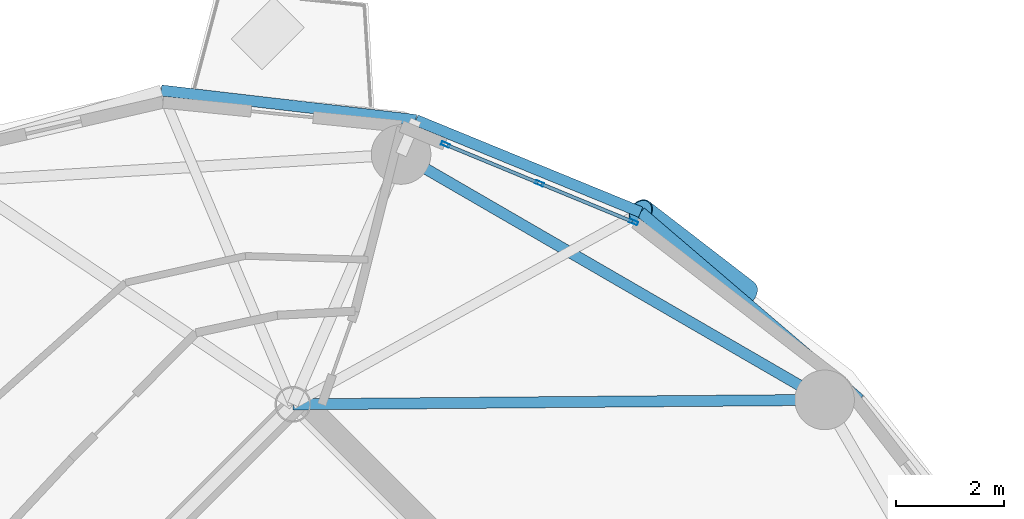
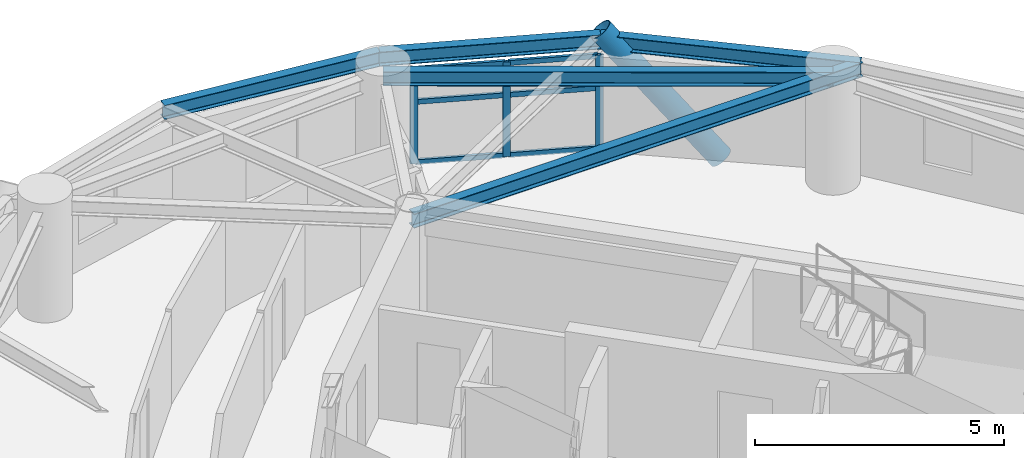
# One storey, part 5 of 16: 10 members, 5 beams, 1 element without a shape of its own.
"""IFC4 building model written with IfcOpenShell, lengths in metres."""

import ifcopenshell
import ifcopenshell.guid

model = None  # the IFC model being written
_history = None  # IfcOwnerHistory: only IFC2X3 demands one
_inside = {}  # id of a spatial element -> (the spatial element, [elements in it])
_under = {}  # id of a project, library or spatial element -> (it, [spatial elements below it])
_declared = {}  # id of a project -> (the project, [libraries it declares])
_typed = {}  # id of a type object -> (the type object, [elements of that type])
_made_of = {}  # id of a material, layer set ... -> (it, [elements and type objects made of it])


def new_model(schema):
    """Start an empty IFC model of exactly this schema.

    Asked for "IFC4X3", IfcOpenShell would pick the latest addendum, in which some entities
    have other attributes; the version numbers below select the first issue.
    IFC2X3 requires an IfcOwnerHistory on every rooted entity: one is made here for all.
    """
    global model, _history
    if schema == "IFC4X3":
        model = ifcopenshell.file(schema_version=(4, 3, 0, 0))
    else:
        model = ifcopenshell.file(schema=schema)
    _inside.clear()
    _under.clear()
    _declared.clear()
    _typed.clear()
    _made_of.clear()
    _history = None
    if model.schema == "IFC2X3":
        org = make("IfcOrganization", Name="unknown")
        user = make(
            "IfcPersonAndOrganization",
            ThePerson=make("IfcPerson", FamilyName="unknown"),
            TheOrganization=org,
        )
        app = make(
            "IfcApplication",
            ApplicationDeveloper=org,
            Version="unknown",
            ApplicationFullName="unknown",
            ApplicationIdentifier="unknown",
        )
        _history = make(
            "IfcOwnerHistory",
            OwningUser=user,
            OwningApplication=app,
            ChangeAction="ADDED",
            CreationDate=0,
        )
    return model


def make(cls, **values):
    """One entity of the class cls with the attributes given. An attribute that is None is left unset."""
    return model.create_entity(
        cls, **{name: value for name, value in values.items() if value is not None}
    )


def rooted(cls, **values):
    """An entity with a GlobalId (a new one), such as an element, a storey or a relation."""
    return make(cls, GlobalId=ifcopenshell.guid.new(), OwnerHistory=_history, **values)


def si_unit(unit_type, name, prefix=None):
    """IfcSIUnit, for example si_unit("LENGTHUNIT", "METRE", prefix="MILLI")."""
    return make("IfcSIUnit", UnitType=unit_type, Prefix=prefix, Name=name)


def assignment(units):
    """IfcUnitAssignment: the units of a project."""
    return None if units is None else make("IfcUnitAssignment", Units=units)


def point(xyz):
    """IfcCartesianPoint."""
    return None if xyz is None else make("IfcCartesianPoint", Coordinates=xyz)


def direction(xyz):
    """IfcDirection."""
    return None if xyz is None else make("IfcDirection", DirectionRatios=xyz)


def frame(location, z_axis=None, x_axis=None):
    """IfcAxis2Placement3D, a coordinate frame: its origin and axes. An axis left out is left unset."""
    return make(
        "IfcAxis2Placement3D",
        Location=point(location),
        Axis=direction(z_axis),
        RefDirection=direction(x_axis),
    )


def frame_2d(location, x_axis=None):
    """IfcAxis2Placement2D, a coordinate frame in the plane: its origin and x axis."""
    return make(
        "IfcAxis2Placement2D", Location=point(location), RefDirection=direction(x_axis)
    )


def origin():
    """The frame at (0, 0, 0) with its axes left unset."""
    return frame((0.0, 0.0, 0.0))


def origin_2d():
    """The frame at (0, 0) in the plane with its x axis left unset."""
    return frame_2d((0.0, 0.0))


def place(relative_to, where):
    """IfcLocalPlacement: puts the frame where relative to a parent placement (None: the world)."""
    return make(
        "IfcLocalPlacement", PlacementRelTo=relative_to, RelativePlacement=where
    )


def context(
    kind, dimensions, precision=None, world=None, true_north=None, identifier=None
):
    """IfcGeometricRepresentationContext, for example the 3D "Model" context."""
    return make(
        "IfcGeometricRepresentationContext",
        ContextIdentifier=identifier,
        ContextType=kind,
        CoordinateSpaceDimension=dimensions,
        Precision=precision,
        WorldCoordinateSystem=world,
        TrueNorth=true_north,
    )


def subcontext(parent, identifier, kind, view, scale=None):
    """IfcGeometricRepresentationSubContext, for example "Body" below "Model"."""
    return make(
        "IfcGeometricRepresentationSubContext",
        ContextIdentifier=identifier,
        ContextType=kind,
        ParentContext=parent,
        TargetScale=scale,
        TargetView=view,
    )


def project(units=None, contexts=None):
    """IfcProject with its units and contexts."""
    return rooted(
        "IfcProject",
        Name="project",
        RepresentationContexts=contexts,
        UnitsInContext=assignment(units),
    )


def spatial(cls, under=None, at=None, **own):
    """A site, building, storey or space (cls), placed at a placement, below another one or the project."""
    s = rooted(cls, ObjectPlacement=at, **own)
    if under is not None:
        _under.setdefault(under.id(), (under, []))[1].append(s)
    return s


def profile(cls, at=None, kind="AREA", **sizes):
    """A parametric profile (cls). Its sizes go by their IFC names, for example OverallWidth=200.0."""
    return make(cls, ProfileType=kind, Position=at, **sizes)


def hollow_rectangle(**sizes):
    """IfcRectangleHollowProfileDef."""
    return profile("IfcRectangleHollowProfileDef", **sizes)


def hollow_circle(**sizes):
    """IfcCircleHollowProfileDef."""
    return profile("IfcCircleHollowProfileDef", **sizes)


def i_section(**sizes):
    """IfcIShapeProfileDef."""
    return profile("IfcIShapeProfileDef", **sizes)


def extrude(swept, where, along, depth):
    """IfcExtrudedAreaSolid: the profile swept, set in the frame where, extruded along a direction by depth."""
    return make(
        "IfcExtrudedAreaSolid",
        SweptArea=swept,
        Position=where,
        ExtrudedDirection=direction(along),
        Depth=depth,
    )


def shape(context_of_items, identifier, shape_type, items):
    """IfcShapeRepresentation: the items that make up one representation, for example the "Body"."""
    return make(
        "IfcShapeRepresentation",
        ContextOfItems=context_of_items,
        RepresentationIdentifier=identifier,
        RepresentationType=shape_type,
        Items=items,
    )


def material(Name=None, Category=None):
    """IfcMaterial."""
    return make("IfcMaterial", Name=Name, Category=Category)


def layer(
    of_material, thickness, ventilated=None, Name=None, Category=None, Priority=None
):
    """IfcMaterialLayer: one layer of a wall or slab, of a material (None: an air gap)."""
    return make(
        "IfcMaterialLayer",
        Material=of_material,
        LayerThickness=thickness,
        IsVentilated=ventilated,
        Name=Name,
        Category=Category,
        Priority=Priority,
    )


def layer_set(layers, Name=None):
    """IfcMaterialLayerSet."""
    return make("IfcMaterialLayerSet", MaterialLayers=layers, LayerSetName=Name)


def material_profile(
    of_material, cross_section, Name=None, Category=None, Priority=None
):
    """IfcMaterialProfile: a cross section and its material."""
    return make(
        "IfcMaterialProfile",
        Name=Name,
        Material=of_material,
        Profile=cross_section,
        Priority=Priority,
        Category=Category,
    )


def profile_set(profiles, Name=None, composite=None):
    """IfcMaterialProfileSet."""
    return make(
        "IfcMaterialProfileSet",
        Name=Name,
        MaterialProfiles=profiles,
        CompositeProfile=composite,
    )


def made_of(thing, what):
    """Note that an element or type object is made of a material, layer set ...; save() writes the relation."""
    if what is not None:
        _made_of.setdefault(what.id(), (what, []))[1].append(thing)
    return thing


def type_object(cls, material=None, **own):
    """A type object (cls), such as IfcWallType, which elements share."""
    return made_of(rooted(cls, **own), material)


def element(
    cls,
    number,
    at=None,
    inside=None,
    cuts=None,
    type_object=None,
    material=None,
    context=None,
    identifier="Body",
    shape_type=None,
    held_by="IfcProductDefinitionShape",
    body=None,
    shapes=None,
    **own,
):
    """One element of the class cls, such as IfcWall. Its Tag is "e" and its number.

    at: its placement. inside: the storey or other place that contains it. cuts: it is an
    opening in that element (IfcRelVoidsElement). A single representation is given by context,
    identifier, shape_type and body (its items); several are given by shapes. held_by: the class
    of the entity that holds the representations. save() writes the other relations.
    """
    e = rooted(cls, Tag="e%d" % number, ObjectPlacement=at, **own)
    if body is not None:
        shapes = [shape(context, identifier, shape_type, body)]
    if shapes is not None:
        e.Representation = make(held_by, Representations=shapes)
    if inside is not None:
        _inside.setdefault(inside.id(), (inside, []))[1].append(e)
    if cuts is not None:
        rooted(
            "IfcRelVoidsElement", RelatingBuildingElement=cuts, RelatedOpeningElement=e
        )
    if type_object is not None:
        _typed.setdefault(type_object.id(), (type_object, []))[1].append(e)
    return made_of(e, material)


def aggregate(whole, parts):
    """IfcRelAggregates: a whole, such as a stair, and the parts it consists of."""
    return rooted("IfcRelAggregates", RelatingObject=whole, RelatedObjects=parts)


def save(model, path):
    """Write the relations noted so far, then the file.

    IfcRelAggregates (storeys below a building ...), IfcRelContainedInSpatialStructure (elements
    in a storey), IfcRelDefinesByType, IfcRelAssociatesMaterial and IfcRelDeclares: one each for
    every whole, place, type object, material and project.
    """
    for whole, parts in _under.values():
        aggregate(whole, parts)
    for where, things in _inside.values():
        rooted(
            "IfcRelContainedInSpatialStructure",
            RelatedElements=things,
            RelatingStructure=where,
        )
    for kind, things in _typed.values():
        rooted("IfcRelDefinesByType", RelatedObjects=things, RelatingType=kind)
    for what, things in _made_of.values():
        rooted("IfcRelAssociatesMaterial", RelatedObjects=things, RelatingMaterial=what)
    for by, libraries in _declared.values():
        rooted("IfcRelDeclares", RelatingContext=by, RelatedDefinitions=libraries)
    model.write(path)


model = new_model("IFC4")

# Units and contexts
model_context = context("Model", 3, precision=1e-05, world=origin(), true_north=direction((0.0, 1.0)))
body_context = subcontext(model_context, "Body", "Model", "MODEL_VIEW")
ifc_project = project(units=[si_unit("LENGTHUNIT", "METRE"), si_unit("AREAUNIT", "SQUARE_METRE"), si_unit("VOLUMEUNIT", "CUBIC_METRE"), si_unit("PLANEANGLEUNIT", "RADIAN"), si_unit("MASSUNIT", "GRAM", prefix="KILO")], contexts=[model_context])

# Site, building, storey
site_placement = place(None, origin())
site = spatial("IfcSite", under=ifc_project, at=site_placement, CompositionType="ELEMENT")
building_placement = place(site_placement, origin())
building = spatial("IfcBuilding", under=site, at=building_placement, Name="Cununo Teusaquillo Station Towers", CompositionType="ELEMENT")
storey_placement = place(building_placement, frame((0.0, 0.0, 217.030029296875)))
storey = spatial("IfcBuildingStorey", under=building, at=storey_placement, Name="L69", CompositionType="ELEMENT", Elevation=217.030029296875)

# Beams
ifc_material_1 = material(Name="Steel ASTM A572 Grade 50", Category="steel")
ifc_material_profile_1 = material_profile(ifc_material_1, i_section(OverallWidth=0.2041015625, OverallDepth=0.35009765625, WebThickness=0.008544921875, FlangeThickness=0.01513671875, FilletRadius=0.011962890625, at=origin_2d()), Name="W14X48")
ifc_profile_set_1 = profile_set([ifc_material_profile_1], Name="Steel ASTM A572 Grade 50")
beam_type_1 = type_object("IfcBeamType", Name="BM-RAD-G3", PredefinedType="BEAM", material=ifc_profile_set_1)
beam_1_placement = place(storey_placement, frame((56.29443359375, 33.024169921875, 2.52490234375), z_axis=(0.999964325253, 0.008446787673, 0.0), x_axis=(-0.008446787673, 0.999964325253, 0.0)))
element("IfcBeam", 1, at=beam_1_placement, inside=storey, type_object=beam_type_1, Name="L69 Tower B Continuous Overhanging Radial Girder 01", PredefinedType="BEAM", context=body_context, shape_type="SweptSolid", body=[
    extrude(i_section(OverallWidth=0.2041015625, OverallDepth=0.35009765625, WebThickness=0.008544921875, FlangeThickness=0.01513671875, FilletRadius=0.011962890625, at=origin_2d()), origin(), (0.0, 0.0, 1.0), 10.463134765625),
])
ifc_material_2 = material(Name="Steel ASTM A572 Grade 50", Category="steel")
ifc_material_profile_2 = material_profile(ifc_material_2, i_section(OverallWidth=0.2041015625, OverallDepth=0.35009765625, WebThickness=0.008544921875, FlangeThickness=0.01513671875, FilletRadius=0.011962890625, at=origin_2d()), Name="W14X48")
ifc_profile_set_2 = profile_set([ifc_material_profile_2], Name="Steel ASTM A572 Grade 50")
beam_type_2 = type_object("IfcBeamType", Name="BM-RING-Z4", PredefinedType="SPANDREL", material=ifc_profile_set_2)
beam_2_placement = place(storey_placement, frame((66.10693359375, 33.10693359375, 2.52490234375), z_axis=(-0.865267103202, 0.501311121078, 0.0), x_axis=(-0.501311121078, -0.865267103202, 0.0)))
element("IfcBeam", 2, at=beam_2_placement, inside=storey, type_object=beam_type_2, Name="L69 Tower B Structural Column Ring Girder 01", PredefinedType="SPANDREL", context=body_context, shape_type="SweptSolid", body=[
    extrude(i_section(OverallWidth=0.2041015625, OverallDepth=0.35009765625, WebThickness=0.008544921875, FlangeThickness=0.01513671875, FilletRadius=0.011962890625, at=origin_2d()), origin(), (0.0, 0.0, 1.0), 9.032958984375),
])
beam_3_placement = place(storey_placement, frame((66.757080078125, 33.112548828125, 2.52490234375), z_axis=(-0.760065778291, 0.649846145385, 0.0), x_axis=(-0.649846145385, -0.760065778291, 0.0)))
element("IfcBeam", 3, at=beam_3_placement, inside=storey, type_object=beam_type_2, Name="L69 Tower B Spandrel Ring Beam 01", PredefinedType="SPANDREL", context=body_context, shape_type="SweptSolid", body=[
    extrude(i_section(OverallWidth=0.2041015625, OverallDepth=0.35009765625, WebThickness=0.008544921875, FlangeThickness=0.01513671875, FilletRadius=0.011962890625, at=origin_2d()), origin(), (0.0, 0.0, 1.0), 5.320556640625),
])
beam_4_placement = place(storey_placement, frame((62.713134765625, 36.570068359375, 2.52490234375), z_axis=(-0.925283830437, 0.379275405388, 0.0), x_axis=(-0.379275405388, -0.925283830437, 0.0)))
element("IfcBeam", 4, at=beam_4_placement, inside=storey, type_object=beam_type_2, Name="L69 Tower B Spandrel Ring Beam 02", PredefinedType="SPANDREL", context=body_context, shape_type="SweptSolid", body=[
    extrude(i_section(OverallWidth=0.2041015625, OverallDepth=0.35009765625, WebThickness=0.008544921875, FlangeThickness=0.01513671875, FilletRadius=0.011962890625, at=origin_2d()), origin(), (0.0, 0.0, 1.0), 4.482177734375),
])
beam_5_placement = place(storey_placement, frame((58.56591796875, 38.27001953125, 2.52490234375), z_axis=(-0.993313022334, 0.115452326356, 0.0), x_axis=(-0.115452326356, -0.993313022334, 0.0)))
element("IfcBeam", 5, at=beam_5_placement, inside=storey, type_object=beam_type_2, Name="L69 Tower B Spandrel Ring Beam 03", PredefinedType="SPANDREL", context=body_context, shape_type="SweptSolid", body=[
    extrude(i_section(OverallWidth=0.2041015625, OverallDepth=0.35009765625, WebThickness=0.008544921875, FlangeThickness=0.01513671875, FilletRadius=0.011962890625, at=origin_2d()), origin(), (0.0, 0.0, 1.0), 4.732666015625),
])

# Curtain wall, members
ifc_material_3 = material(Name="Ceramic-fritted dark low-E double glazing", Category="glass")
ifc_layer = layer(ifc_material_3, 0.179931640625)
ifc_layer_set = layer_set([ifc_layer], Name="Ceramic-fritted dark low-E double glazing")
curtain_wall_type = type_object("IfcCurtainWallType", Name="CW-SYS-07", PredefinedType="USERDEFINED", material=ifc_layer_set)
curtain_wall_placement = place(storey_placement, origin())
curtain_wall = element("IfcCurtainWall", 6, at=curtain_wall_placement, inside=storey, type_object=curtain_wall_type, Name="L69 Tower B Facade Curtain Wall C01", ObjectType="FRITTED GLAZING", PredefinedType="USERDEFINED")
ifc_material_4 = material(Name="Anodised dark bronze aluminium EN AW-6063-T6", Category="aluminium")
ifc_material_profile_3 = material_profile(ifc_material_4, hollow_rectangle(XDim=0.06494140625, YDim=0.159912109375, WallThickness=0.00390625, at=origin_2d()), Name="CW-MULL-65x160")
ifc_profile_set_3 = profile_set([ifc_material_profile_3], Name="Anodised dark bronze aluminium EN AW-6063-T6")
member_type_1 = type_object("IfcMemberType", Name="CWM-160", PredefinedType="MULLION", material=ifc_profile_set_3)
member_1_placement = place(storey_placement, frame((59.111328125, 37.818359375, 0.0), z_axis=(0.0, 0.0, 1.0), x_axis=(0.381310513086, 0.924447019904, 0.0)))
member_1 = element("IfcMember", 7, at=member_1_placement, type_object=member_type_1, Name="CW-07 mullion 1", PredefinedType="MULLION", context=body_context, shape_type="SweptSolid", body=[
    extrude(hollow_rectangle(XDim=0.06494140625, YDim=0.159912109375, WallThickness=0.00390625, at=origin_2d()), origin(), (0.0, 0.0, 1.0), 2.322021484375),
])
member_2_placement = place(storey_placement, frame((60.84716796875, 37.102294921875, 0.0), z_axis=(0.0, 0.0, 1.0), x_axis=(0.381310513086, 0.924447019904, 0.0)))
member_2 = element("IfcMember", 8, at=member_2_placement, type_object=member_type_1, Name="CW-07 mullion 2", PredefinedType="MULLION", context=body_context, shape_type="SweptSolid", body=[
    extrude(hollow_rectangle(XDim=0.06494140625, YDim=0.159912109375, WallThickness=0.00390625, at=origin_2d()), origin(), (0.0, 0.0, 1.0), 2.322021484375),
])
member_3_placement = place(storey_placement, frame((62.583251953125, 36.38623046875, 0.0), z_axis=(0.0, 0.0, 1.0), x_axis=(0.381310513086, 0.924447019904, 0.0)))
member_3 = element("IfcMember", 9, at=member_3_placement, type_object=member_type_1, Name="CW-07 mullion 3", PredefinedType="MULLION", context=body_context, shape_type="SweptSolid", body=[
    extrude(hollow_rectangle(XDim=0.06494140625, YDim=0.159912109375, WallThickness=0.00390625, at=origin_2d()), origin(), (0.0, 0.0, 1.0), 2.322021484375),
])
ifc_material_5 = material(Name="Anodised dark bronze aluminium EN AW-6063-T6", Category="aluminium")
ifc_material_profile_4 = material_profile(ifc_material_5, hollow_rectangle(XDim=0.06494140625, YDim=0.1201171875, WallThickness=0.00390625, at=origin_2d()), Name="CW-TRAN-65x120")
ifc_profile_set_4 = profile_set([ifc_material_profile_4], Name="Anodised dark bronze aluminium EN AW-6063-T6")
member_type_2 = type_object("IfcMemberType", Name="CWT-120", PredefinedType="USERDEFINED", material=ifc_profile_set_4)
member_4_placement = place(storey_placement, frame((59.141357421875, 37.805908203125, 0.032470703125), z_axis=(0.924457591038, -0.381284883483, 0.0), x_axis=(0.381284883483, 0.924457591038, 0.0)))
member_4 = element("IfcMember", 10, at=member_4_placement, type_object=member_type_2, Name="CW-07 transom 1.1", ObjectType="TRANSOM", PredefinedType="USERDEFINED", context=body_context, shape_type="SweptSolid", body=[
    extrude(hollow_rectangle(XDim=0.06494140625, YDim=0.1201171875, WallThickness=0.00390625, at=origin_2d()), origin(), (0.0, 0.0, 1.0), 1.812744140625),
])
member_5_placement = place(storey_placement, frame((59.141357421875, 37.805908203125, 1.509033203125), z_axis=(0.924457591038, -0.381284883483, 0.0), x_axis=(0.381284883483, 0.924457591038, 0.0)))
member_5 = element("IfcMember", 11, at=member_5_placement, type_object=member_type_2, Name="CW-07 transom 1.2", ObjectType="TRANSOM", PredefinedType="USERDEFINED", context=body_context, shape_type="SweptSolid", body=[
    extrude(hollow_rectangle(XDim=0.06494140625, YDim=0.1201171875, WallThickness=0.00390625, at=origin_2d()), origin(), (0.0, 0.0, 1.0), 1.812744140625),
])
member_6_placement = place(storey_placement, frame((59.141357421875, 37.805908203125, 2.28955078125), z_axis=(0.924457591038, -0.381284883483, 0.0), x_axis=(0.381284883483, 0.924457591038, 0.0)))
member_6 = element("IfcMember", 12, at=member_6_placement, type_object=member_type_2, Name="CW-07 transom 1.3", ObjectType="TRANSOM", PredefinedType="USERDEFINED", context=body_context, shape_type="SweptSolid", body=[
    extrude(hollow_rectangle(XDim=0.06494140625, YDim=0.1201171875, WallThickness=0.00390625, at=origin_2d()), origin(), (0.0, 0.0, 1.0), 1.812744140625),
])
member_7_placement = place(storey_placement, frame((60.877197265625, 37.08984375, 0.032470703125), z_axis=(0.92447716721, -0.381237415932, 0.0), x_axis=(0.381237415932, 0.92447716721, 0.0)))
member_7 = element("IfcMember", 13, at=member_7_placement, type_object=member_type_2, Name="CW-07 transom 2.1", ObjectType="TRANSOM", PredefinedType="USERDEFINED", context=body_context, shape_type="SweptSolid", body=[
    extrude(hollow_rectangle(XDim=0.06494140625, YDim=0.1201171875, WallThickness=0.00390625, at=origin_2d()), origin(), (0.0, 0.0, 1.0), 1.81298828125),
])
member_8_placement = place(storey_placement, frame((60.877197265625, 37.08984375, 1.509033203125), z_axis=(0.92447716721, -0.381237415932, 0.0), x_axis=(0.381237415932, 0.92447716721, 0.0)))
member_8 = element("IfcMember", 14, at=member_8_placement, type_object=member_type_2, Name="CW-07 transom 2.2", ObjectType="TRANSOM", PredefinedType="USERDEFINED", context=body_context, shape_type="SweptSolid", body=[
    extrude(hollow_rectangle(XDim=0.06494140625, YDim=0.1201171875, WallThickness=0.00390625, at=origin_2d()), origin(), (0.0, 0.0, 1.0), 1.81298828125),
])
member_9_placement = place(storey_placement, frame((60.877197265625, 37.08984375, 2.28955078125), z_axis=(0.92447716721, -0.381237415932, 0.0), x_axis=(0.381237415932, 0.92447716721, 0.0)))
member_9 = element("IfcMember", 15, at=member_9_placement, type_object=member_type_2, Name="CW-07 transom 2.3", ObjectType="TRANSOM", PredefinedType="USERDEFINED", context=body_context, shape_type="SweptSolid", body=[
    extrude(hollow_rectangle(XDim=0.06494140625, YDim=0.1201171875, WallThickness=0.00390625, at=origin_2d()), origin(), (0.0, 0.0, 1.0), 1.81298828125),
])
aggregate(curtain_wall, [member_1, member_2, member_3, member_4, member_5, member_6, member_7, member_8, member_9])

# Member
ifc_material_6 = material(Name="Steel EN 10025-2 S355J2", Category="steel")
ifc_material_profile_5 = material_profile(ifc_material_6, hollow_circle(Radius=0.25390625, WallThickness=0.01806640625, at=origin_2d()), Name="CHS 508x18")
ifc_profile_set_5 = profile_set([ifc_material_profile_5], Name="Steel EN 10025-2 S355J2")
member_type_3 = type_object("IfcMemberType", Name="MBR-DIAG-Z4", PredefinedType="BRACE", material=ifc_profile_set_5)
member_10_placement = place(storey_placement, frame((64.649658203125, 35.078125, -0.14013671875), z_axis=(-0.509522741264, 0.392548344915, 0.765697311632), x_axis=(-0.610304239587, -0.792167113141, 0.0)))
element("IfcMember", 16, at=member_10_placement, inside=storey, type_object=member_type_3, Name="L69 Tower B Folded-Zigzag Diagrid Tube C00", PredefinedType="BRACE", context=body_context, shape_type="SweptSolid", body=[
    extrude(hollow_circle(Radius=0.25390625, WallThickness=0.01806640625, at=origin_2d()), origin(), (0.0, 0.0, 1.0), 3.80078125),
])

save(model, "model.ifc")
